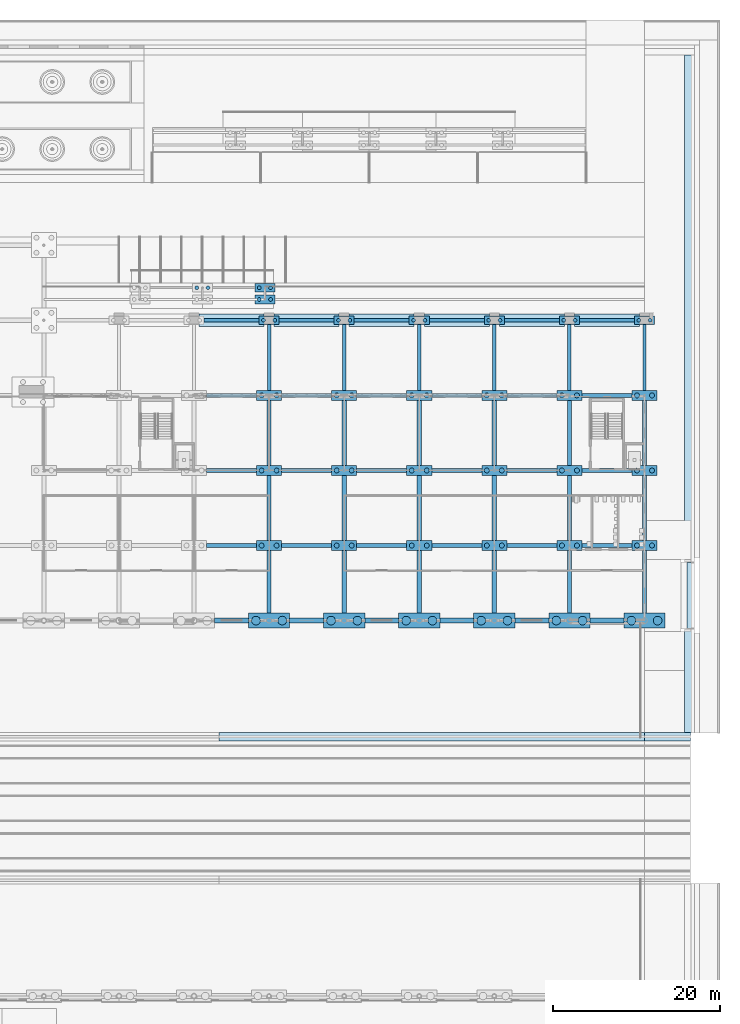
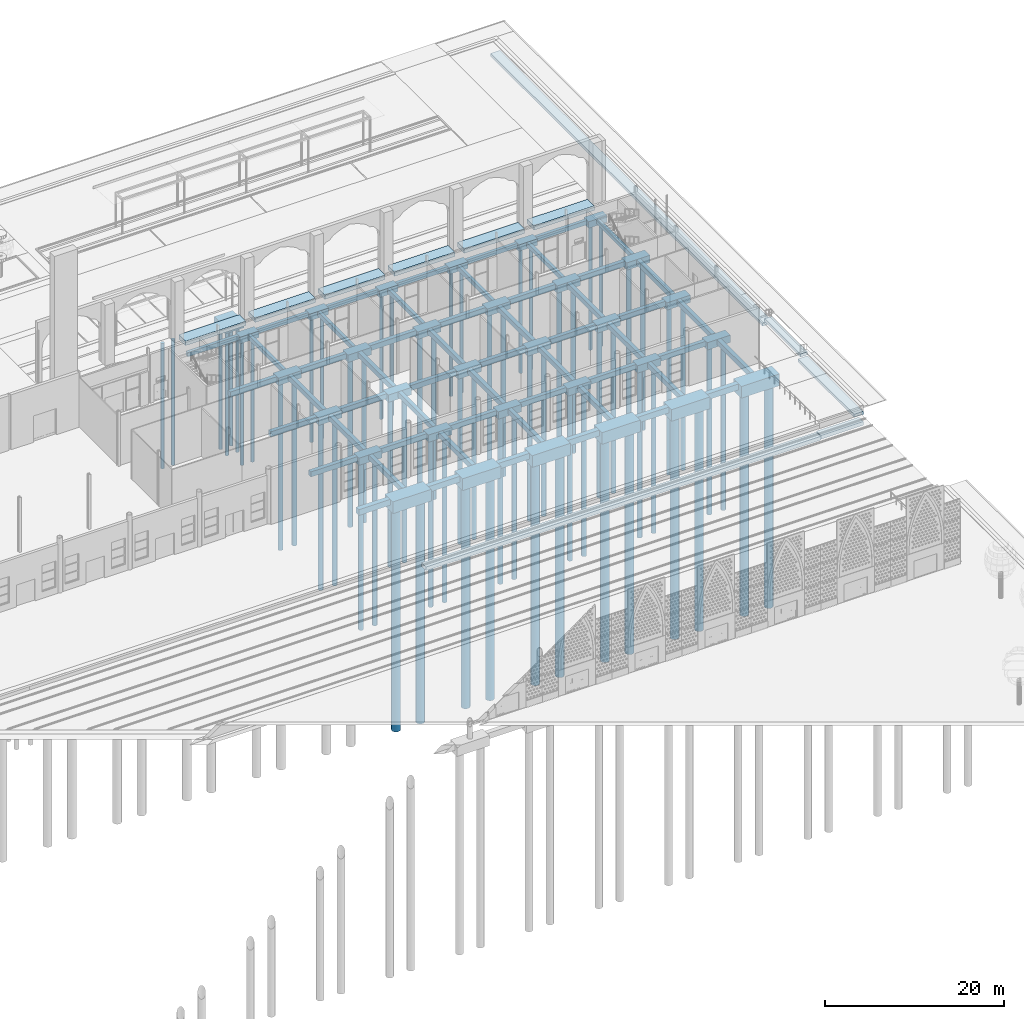
# One storey, part 6 of 250: 97 footings, 66 piles.
"""IFC4 building model written with IfcOpenShell, lengths in metres."""

from ifc_helpers import new_model, si_unit, direction, frame, origin, origin_2d, place, context, subcontext, project, spatial, rectangle, circle, extrude, material, type_object, element, save


model = new_model("IFC4")

# Units and contexts
model_context = context("Model", 3, precision=1e-05, world=origin(), true_north=direction((0.0, 1.0)))
body_context = subcontext(model_context, "Body", "Model", "MODEL_VIEW")
ifc_project = project(units=[si_unit("LENGTHUNIT", "METRE"), si_unit("AREAUNIT", "SQUARE_METRE"), si_unit("VOLUMEUNIT", "CUBIC_METRE"), si_unit("PLANEANGLEUNIT", "RADIAN"), si_unit("MASSUNIT", "GRAM", prefix="KILO")], contexts=[model_context])

# Site, building, storey
site_placement = place(None, origin())
site = spatial("IfcSite", under=ifc_project, at=site_placement, CompositionType="ELEMENT")
building_placement = place(site_placement, origin())
building = spatial("IfcBuilding", under=site, at=building_placement, Name="Baradari Gate Terminus", CompositionType="ELEMENT")
storey_placement = place(building_placement, origin())
storey = spatial("IfcBuildingStorey", under=building, at=storey_placement, Name="L00", CompositionType="ELEMENT", Elevation=0.0)

# Piles
ifc_material_1 = material(Name="Concrete C32/40", Category="concrete")
pile_type_1 = type_object("IfcPileType", Name="Bored pile BP2 D600", PredefinedType="BORED", material=ifc_material_1)
for number, where, z_axis, x_axis, name in (
    (1, (197.10009765625, 90.0, -3.0), (0.0, 0.0, -1.0), (1.0, 0.0, 0.0), "Bored pile BP2 at 23-L (1)"),
    (2, (198.89990234375, 90.0, -3.0), (0.0, 0.0, -1.0), (1.0, 0.0, 0.0), "Bored pile BP2 at 23-L (2)"),
    (3, (197.10009765625, 99.0, -3.0), (0.0, 0.0, -1.0), (1.0, 0.0, 0.0), "Bored pile BP2 at 23-M (1)"),
    (4, (198.89990234375, 99.0, -3.0), (0.0, 0.0, -1.0), (1.0, 0.0, 0.0), "Bored pile BP2 at 23-M (2)"),
    (5, (197.10009765625, 108.0, -3.0), (0.0, 0.0, -1.0), (1.0, 0.0, 0.0), "Bored pile BP2 at 23-N (1)"),
    (6, (198.89990234375, 108.0, -3.0), (0.0, 0.0, -1.0), (1.0, 0.0, 0.0), "Bored pile BP2 at 23-N (2)"),
    (7, (206.10009765625, 90.0, -3.0), (0.0, 0.0, -1.0), (1.0, 0.0, 0.0), "Bored pile BP2 at 24-L (1)"),
    (8, (207.89990234375, 90.0, -3.0), (0.0, 0.0, -1.0), (1.0, 0.0, 0.0), "Bored pile BP2 at 24-L (2)"),
    (9, (206.10009765625, 99.0, -3.0), (0.0, 0.0, -1.0), (1.0, 0.0, 0.0), "Bored pile BP2 at 24-M (1)"),
    (10, (207.89990234375, 99.0, -3.0), (0.0, 0.0, -1.0), (1.0, 0.0, 0.0), "Bored pile BP2 at 24-M (2)"),
    (11, (206.10009765625, 108.0, -3.0), (0.0, 0.0, -1.0), (1.0, 0.0, 0.0), "Bored pile BP2 at 24-N (1)"),
    (12, (207.89990234375, 108.0, -3.0), (0.0, 0.0, -1.0), (1.0, 0.0, 0.0), "Bored pile BP2 at 24-N (2)"),
    (13, (215.10009765625, 90.0, -3.0), (0.0, 0.0, -1.0), (1.0, 0.0, 0.0), "Bored pile BP2 at 25-L (1)"),
    (14, (216.89990234375, 90.0, -3.0), (0.0, 0.0, -1.0), (1.0, 0.0, 0.0), "Bored pile BP2 at 25-L (2)"),
    (15, (215.10009765625, 99.0, -3.0), (0.0, 0.0, -1.0), (1.0, 0.0, 0.0), "Bored pile BP2 at 25-M (1)"),
    (16, (216.89990234375, 99.0, -3.0), (0.0, 0.0, -1.0), (1.0, 0.0, 0.0), "Bored pile BP2 at 25-M (2)"),
    (17, (215.10009765625, 108.0, -3.0), (0.0, 0.0, -1.0), (1.0, 0.0, 0.0), "Bored pile BP2 at 25-N (1)"),
    (18, (216.89990234375, 108.0, -3.0), (0.0, 0.0, -1.0), (1.0, 0.0, 0.0), "Bored pile BP2 at 25-N (2)"),
    (19, (224.10009765625, 90.0, -3.0), (0.0, 0.0, -1.0), (1.0, 0.0, 0.0), "Bored pile BP2 at 26-L (1)"),
    (20, (225.89990234375, 90.0, -3.0), (0.0, 0.0, -1.0), (1.0, 0.0, 0.0), "Bored pile BP2 at 26-L (2)"),
    (21, (224.10009765625, 99.0, -3.0), (0.0, 0.0, -1.0), (1.0, 0.0, 0.0), "Bored pile BP2 at 26-M (1)"),
    (22, (225.89990234375, 99.0, -3.0), (0.0, 0.0, -1.0), (1.0, 0.0, 0.0), "Bored pile BP2 at 26-M (2)"),
    (23, (224.10009765625, 108.0, -3.0), (0.0, 0.0, -1.0), (1.0, 0.0, 0.0), "Bored pile BP2 at 26-N (1)"),
    (24, (225.89990234375, 108.0, -3.0), (0.0, 0.0, -1.0), (1.0, 0.0, 0.0), "Bored pile BP2 at 26-N (2)"),
    (25, (233.10009765625, 90.0, -3.0), (0.0, 0.0, -1.0), (1.0, 0.0, 0.0), "Bored pile BP2 at 27-L (1)"),
    (26, (234.89990234375, 90.0, -3.0), (0.0, 0.0, -1.0), (1.0, 0.0, 0.0), "Bored pile BP2 at 27-L (2)"),
    (27, (233.10009765625, 99.0, -3.0), (0.0, 0.0, -1.0), (1.0, 0.0, 0.0), "Bored pile BP2 at 27-M (1)"),
    (28, (234.89990234375, 99.0, -3.0), (0.0, 0.0, -1.0), (1.0, 0.0, 0.0), "Bored pile BP2 at 27-M (2)"),
    (29, (233.10009765625, 108.0, -3.0), (0.0, 0.0, -1.0), (1.0, 0.0, 0.0), "Bored pile BP2 at 27-N (1)"),
    (30, (234.89990234375, 108.0, -3.0), (0.0, 0.0, -1.0), (1.0, 0.0, 0.0), "Bored pile BP2 at 27-N (2)"),
    (31, (242.10009765625, 90.0, -3.0), (0.0, 0.0, -1.0), (1.0, 0.0, 0.0), "Bored pile BP2 at 28-L (1)"),
    (32, (243.89990234375, 90.0, -3.0), (0.0, 0.0, -1.0), (1.0, 0.0, 0.0), "Bored pile BP2 at 28-L (2)"),
    (33, (242.10009765625, 99.0, -3.0), (0.0, 0.0, -1.0), (1.0, 0.0, 0.0), "Bored pile BP2 at 28-M (1)"),
    (34, (243.89990234375, 99.0, -3.0), (0.0, 0.0, -1.0), (1.0, 0.0, 0.0), "Bored pile BP2 at 28-M (2)"),
    (35, (242.10009765625, 108.0, -3.0), (0.0, 0.0, -1.0), (1.0, 0.0, 0.0), "Bored pile BP2 at 28-N (1)"),
    (36, (243.89990234375, 108.0, -3.0), (0.0, 0.0, -1.0), (1.0, 0.0, 0.0), "Bored pile BP2 at 28-N (2)"),
):
    element("IfcPile", number, at=place(storey_placement, frame(where, z_axis=z_axis, x_axis=x_axis)), inside=storey, type_object=pile_type_1, Name=name, PredefinedType="BORED", context=body_context, shape_type="SweptSolid", body=[
        extrude(circle(Radius=0.300048828125, at=origin_2d()), origin(), (0.0, 0.0, 1.0), 23.0),
    ])
ifc_material_2 = material(Name="Concrete C32/40", Category="concrete")
pile_type_2 = type_object("IfcPileType", Name="Bored pile BP4 D450", PredefinedType="BORED", material=ifc_material_2)
for number, where, z_axis, x_axis, name in (
    (37, (197.324951171875, 117.0, -2.89990234375), (0.0, 0.0, -1.0), (1.0, 0.0, 0.0), "Bored pile BP4 at 23-P (1)"),
    (38, (198.675048828125, 117.0, -2.89990234375), (0.0, 0.0, -1.0), (1.0, 0.0, 0.0), "Bored pile BP4 at 23-P (2)"),
    (39, (206.324951171875, 117.0, -2.89990234375), (0.0, 0.0, -1.0), (1.0, 0.0, 0.0), "Bored pile BP4 at 24-P (1)"),
    (40, (207.675048828125, 117.0, -2.89990234375), (0.0, 0.0, -1.0), (1.0, 0.0, 0.0), "Bored pile BP4 at 24-P (2)"),
    (41, (215.324951171875, 117.0, -2.89990234375), (0.0, 0.0, -1.0), (1.0, 0.0, 0.0), "Bored pile BP4 at 25-P (1)"),
    (42, (216.675048828125, 117.0, -2.89990234375), (0.0, 0.0, -1.0), (1.0, 0.0, 0.0), "Bored pile BP4 at 25-P (2)"),
    (43, (224.324951171875, 117.0, -2.89990234375), (0.0, 0.0, -1.0), (1.0, 0.0, 0.0), "Bored pile BP4 at 26-P (1)"),
    (44, (225.675048828125, 117.0, -2.89990234375), (0.0, 0.0, -1.0), (1.0, 0.0, 0.0), "Bored pile BP4 at 26-P (2)"),
    (45, (233.324951171875, 117.0, -2.89990234375), (0.0, 0.0, -1.0), (1.0, 0.0, 0.0), "Bored pile BP4 at 27-P (1)"),
    (46, (234.675048828125, 117.0, -2.89990234375), (0.0, 0.0, -1.0), (1.0, 0.0, 0.0), "Bored pile BP4 at 27-P (2)"),
    (47, (242.324951171875, 117.0, -2.89990234375), (0.0, 0.0, -1.0), (1.0, 0.0, 0.0), "Bored pile BP4 at 28-P (1)"),
    (48, (243.675048828125, 117.0, -2.89990234375), (0.0, 0.0, -1.0), (1.0, 0.0, 0.0), "Bored pile BP4 at 28-P (2)"),
    (49, (196.824951171875, 119.5, -2.89990234375), (0.0, 0.0, -1.0), (1.0, 0.0, 0.0), "Bored pile BP4 at TS-C03 (1)"),
    (50, (198.175048828125, 119.5, -2.89990234375), (0.0, 0.0, -1.0), (1.0, 0.0, 0.0), "Bored pile BP4 at TS-C03 (2)"),
    (51, (189.324951171875, 120.89990234375, -2.89990234375), (0.0, 0.0, -1.0), (1.0, 0.0, 0.0), "Bored pile BP4 at TS-C05 (1)"),
    (52, (190.675048828125, 120.89990234375, -2.89990234375), (0.0, 0.0, -1.0), (1.0, 0.0, 0.0), "Bored pile BP4 at TS-C05 (2)"),
    (53, (196.824951171875, 120.89990234375, -2.89990234375), (0.0, 0.0, -1.0), (1.0, 0.0, 0.0), "Bored pile BP4 at TS-C06 (1)"),
    (54, (198.175048828125, 120.89990234375, -2.89990234375), (0.0, 0.0, -1.0), (1.0, 0.0, 0.0), "Bored pile BP4 at TS-C06 (2)"),
):
    element("IfcPile", number, at=place(storey_placement, frame(where, z_axis=z_axis, x_axis=x_axis)), inside=storey, type_object=pile_type_2, Name=name, PredefinedType="BORED", context=body_context, shape_type="SweptSolid", body=[
        extrude(circle(Radius=0.22509765625, at=origin_2d()), origin(), (0.0, 0.0, 1.0), 17.10009765625),
    ])
ifc_material_3 = material(Name="Concrete C32/40", Category="concrete")
pile_type_3 = type_object("IfcPileType", Name="Bored pile BP5 D1050", PredefinedType="BORED", material=ifc_material_3)
for number, where, z_axis, x_axis, name in (
    (55, (196.425048828125, 81.0, -3.60009765625), (0.0, 0.0, -1.0), (1.0, 0.0, 0.0), "Bored pile BP5 at 23-K (1)"),
    (56, (199.574951171875, 81.0, -3.60009765625), (0.0, 0.0, -1.0), (1.0, 0.0, 0.0), "Bored pile BP5 at 23-K (2)"),
    (57, (205.425048828125, 81.0, -3.60009765625), (0.0, 0.0, -1.0), (1.0, 0.0, 0.0), "Bored pile BP5 at 24-K (1)"),
    (58, (208.574951171875, 81.0, -3.60009765625), (0.0, 0.0, -1.0), (1.0, 0.0, 0.0), "Bored pile BP5 at 24-K (2)"),
    (59, (214.425048828125, 81.0, -3.60009765625), (0.0, 0.0, -1.0), (1.0, 0.0, 0.0), "Bored pile BP5 at 25-K (1)"),
    (60, (217.574951171875, 81.0, -3.60009765625), (0.0, 0.0, -1.0), (1.0, 0.0, 0.0), "Bored pile BP5 at 25-K (2)"),
    (61, (223.425048828125, 81.0, -3.60009765625), (0.0, 0.0, -1.0), (1.0, 0.0, 0.0), "Bored pile BP5 at 26-K (1)"),
    (62, (226.574951171875, 81.0, -3.60009765625), (0.0, 0.0, -1.0), (1.0, 0.0, 0.0), "Bored pile BP5 at 26-K (2)"),
    (63, (232.425048828125, 81.0, -3.60009765625), (0.0, 0.0, -1.0), (1.0, 0.0, 0.0), "Bored pile BP5 at 27-K (1)"),
    (64, (235.574951171875, 81.0, -3.60009765625), (0.0, 0.0, -1.0), (1.0, 0.0, 0.0), "Bored pile BP5 at 27-K (2)"),
    (65, (241.425048828125, 81.0, -3.60009765625), (0.0, 0.0, -1.0), (1.0, 0.0, 0.0), "Bored pile BP5 at 28-K (1)"),
    (66, (244.574951171875, 81.0, -3.60009765625), (0.0, 0.0, -1.0), (1.0, 0.0, 0.0), "Bored pile BP5 at 28-K (2)"),
):
    element("IfcPile", number, at=place(storey_placement, frame(where, z_axis=z_axis, x_axis=x_axis)), inside=storey, type_object=pile_type_3, Name=name, PredefinedType="BORED", context=body_context, shape_type="SweptSolid", body=[
        extrude(circle(Radius=0.52490234375, at=origin_2d()), origin(), (0.0, 0.0, 1.0), 30.39990234375),
    ])

# Footings
ifc_material_4 = material(Name="Concrete C32/40", Category="concrete")
footing_type_1 = type_object("IfcFootingType", Name="Cheek strip footing SFC-1 900x400", PredefinedType="STRIP_FOOTING", material=ifc_material_4)
footing_1_placement = place(storey_placement, frame((248.550048828125, 84.0, -0.659912109375), z_axis=(0.0, 0.0, 1.0), x_axis=(1.0, 0.0, 0.0)))
element("IfcFooting", 67, at=footing_1_placement, inside=storey, type_object=footing_type_1, Name="Strip footing under the foot of East exit gate steps", PredefinedType="STRIP_FOOTING", context=body_context, shape_type="SweptSolid", body=[
    extrude(rectangle(XDim=0.89990234375, YDim=8.0, at=origin_2d()), origin(), (0.0, 0.0, 1.0), 0.39990234375),
])
ifc_material_5 = material(Name="Concrete C32/40", Category="concrete")
footing_type_2 = type_object("IfcFootingType", Name="Ground beam TG1 500x700", PredefinedType="FOOTING_BEAM", material=ifc_material_5)
for number, where, z_axis, x_axis, name in (
    (68, (193.5, 90.0, -2.7998046875), (0.0, 0.0, 1.0), (1.0, 0.0, 0.0), "Ground beam TG1 line L 190.5 to 196.5"),
    (69, (202.5, 90.0, -2.7998046875), (0.0, 0.0, 1.0), (1.0, 0.0, 0.0), "Ground beam TG1 line L 199.5 to 205.5"),
    (70, (211.5, 90.0, -2.7998046875), (0.0, 0.0, 1.0), (1.0, 0.0, 0.0), "Ground beam TG1 line L 208.5 to 214.5"),
    (71, (220.5, 90.0, -2.7998046875), (0.0, 0.0, 1.0), (1.0, 0.0, 0.0), "Ground beam TG1 line L 217.5 to 223.5"),
    (72, (229.5, 90.0, -2.7998046875), (0.0, 0.0, 1.0), (1.0, 0.0, 0.0), "Ground beam TG1 line L 226.5 to 232.5"),
    (73, (238.5, 90.0, -2.7998046875), (0.0, 0.0, 1.0), (1.0, 0.0, 0.0), "Ground beam TG1 line L 235.5 to 241.5"),
    (74, (193.5, 99.0, -2.7998046875), (0.0, 0.0, 1.0), (1.0, 0.0, 0.0), "Ground beam TG1 line M 190.5 to 196.5"),
    (75, (202.5, 99.0, -2.7998046875), (0.0, 0.0, 1.0), (1.0, 0.0, 0.0), "Ground beam TG1 line M 199.5 to 205.5"),
    (76, (211.5, 99.0, -2.7998046875), (0.0, 0.0, 1.0), (1.0, 0.0, 0.0), "Ground beam TG1 line M 208.5 to 214.5"),
    (77, (220.5, 99.0, -2.7998046875), (0.0, 0.0, 1.0), (1.0, 0.0, 0.0), "Ground beam TG1 line M 217.5 to 223.5"),
    (78, (229.5, 99.0, -2.7998046875), (0.0, 0.0, 1.0), (1.0, 0.0, 0.0), "Ground beam TG1 line M 226.5 to 232.5"),
    (79, (238.5, 99.0, -2.7998046875), (0.0, 0.0, 1.0), (1.0, 0.0, 0.0), "Ground beam TG1 line M 235.5 to 241.5"),
    (80, (193.5, 108.0, -2.7998046875), (0.0, 0.0, 1.0), (1.0, 0.0, 0.0), "Ground beam TG1 line N 190.5 to 196.5"),
    (81, (202.5, 108.0, -2.7998046875), (0.0, 0.0, 1.0), (1.0, 0.0, 0.0), "Ground beam TG1 line N 199.5 to 205.5"),
    (82, (211.5, 108.0, -2.7998046875), (0.0, 0.0, 1.0), (1.0, 0.0, 0.0), "Ground beam TG1 line N 208.5 to 214.5"),
    (83, (220.5, 108.0, -2.7998046875), (0.0, 0.0, 1.0), (1.0, 0.0, 0.0), "Ground beam TG1 line N 217.5 to 223.5"),
    (84, (229.5, 108.0, -2.7998046875), (0.0, 0.0, 1.0), (1.0, 0.0, 0.0), "Ground beam TG1 line N 226.5 to 232.5"),
    (85, (238.5, 108.0, -2.7998046875), (0.0, 0.0, 1.0), (1.0, 0.0, 0.0), "Ground beam TG1 line N 235.5 to 241.5"),
):
    element("IfcFooting", number, at=place(storey_placement, frame(where, z_axis=z_axis, x_axis=x_axis)), inside=storey, type_object=footing_type_2, Name=name, PredefinedType="FOOTING_BEAM", context=body_context, shape_type="SweptSolid", body=[
        extrude(rectangle(XDim=6.0, YDim=0.5, at=origin_2d()), origin(), (0.0, 0.0, 1.0), 0.699951171875),
    ])
footing_2_placement = place(storey_placement, frame((198.0, 85.64990234375, -2.7998046875), z_axis=(0.0, 0.0, 1.0), x_axis=(1.0, 0.0, 0.0)))
element("IfcFooting", 86, at=footing_2_placement, inside=storey, type_object=footing_type_2, Name="Ground beam TG1 line 23 81.9 to 89.4", PredefinedType="FOOTING_BEAM", context=body_context, shape_type="SweptSolid", body=[
    extrude(rectangle(XDim=0.5, YDim=7.5, at=origin_2d()), origin(), (0.0, 0.0, 1.0), 0.699951171875),
])
for number, where, z_axis, x_axis, name in (
    (87, (198.0, 94.5, -2.7998046875), (0.0, 0.0, 1.0), (1.0, 0.0, 0.0), "Ground beam TG1 line 23 90.6 to 98.4"),
    (88, (198.0, 103.5, -2.7998046875), (0.0, 0.0, 1.0), (1.0, 0.0, 0.0), "Ground beam TG1 line 23 99.6 to 107.4"),
):
    element("IfcFooting", number, at=place(storey_placement, frame(where, z_axis=z_axis, x_axis=x_axis)), inside=storey, type_object=footing_type_2, Name=name, PredefinedType="FOOTING_BEAM", context=body_context, shape_type="SweptSolid", body=[
        extrude(rectangle(XDim=0.5, YDim=7.800048828125, at=origin_2d()), origin(), (0.0, 0.0, 1.0), 0.699951171875),
    ])
footing_3_placement = place(storey_placement, frame((207.0, 85.64990234375, -2.7998046875), z_axis=(0.0, 0.0, 1.0), x_axis=(1.0, 0.0, 0.0)))
element("IfcFooting", 89, at=footing_3_placement, inside=storey, type_object=footing_type_2, Name="Ground beam TG1 line 24 81.9 to 89.4", PredefinedType="FOOTING_BEAM", context=body_context, shape_type="SweptSolid", body=[
    extrude(rectangle(XDim=0.5, YDim=7.5, at=origin_2d()), origin(), (0.0, 0.0, 1.0), 0.699951171875),
])
for number, where, z_axis, x_axis, name in (
    (90, (207.0, 94.5, -2.7998046875), (0.0, 0.0, 1.0), (1.0, 0.0, 0.0), "Ground beam TG1 line 24 90.6 to 98.4"),
    (91, (207.0, 103.5, -2.7998046875), (0.0, 0.0, 1.0), (1.0, 0.0, 0.0), "Ground beam TG1 line 24 99.6 to 107.4"),
):
    element("IfcFooting", number, at=place(storey_placement, frame(where, z_axis=z_axis, x_axis=x_axis)), inside=storey, type_object=footing_type_2, Name=name, PredefinedType="FOOTING_BEAM", context=body_context, shape_type="SweptSolid", body=[
        extrude(rectangle(XDim=0.5, YDim=7.800048828125, at=origin_2d()), origin(), (0.0, 0.0, 1.0), 0.699951171875),
    ])
footing_4_placement = place(storey_placement, frame((216.0, 85.64990234375, -2.7998046875), z_axis=(0.0, 0.0, 1.0), x_axis=(1.0, 0.0, 0.0)))
element("IfcFooting", 92, at=footing_4_placement, inside=storey, type_object=footing_type_2, Name="Ground beam TG1 line 25 81.9 to 89.4", PredefinedType="FOOTING_BEAM", context=body_context, shape_type="SweptSolid", body=[
    extrude(rectangle(XDim=0.5, YDim=7.5, at=origin_2d()), origin(), (0.0, 0.0, 1.0), 0.699951171875),
])
for number, where, z_axis, x_axis, name in (
    (93, (216.0, 94.5, -2.7998046875), (0.0, 0.0, 1.0), (1.0, 0.0, 0.0), "Ground beam TG1 line 25 90.6 to 98.4"),
    (94, (216.0, 103.5, -2.7998046875), (0.0, 0.0, 1.0), (1.0, 0.0, 0.0), "Ground beam TG1 line 25 99.6 to 107.4"),
):
    element("IfcFooting", number, at=place(storey_placement, frame(where, z_axis=z_axis, x_axis=x_axis)), inside=storey, type_object=footing_type_2, Name=name, PredefinedType="FOOTING_BEAM", context=body_context, shape_type="SweptSolid", body=[
        extrude(rectangle(XDim=0.5, YDim=7.800048828125, at=origin_2d()), origin(), (0.0, 0.0, 1.0), 0.699951171875),
    ])
footing_5_placement = place(storey_placement, frame((225.0, 85.64990234375, -2.7998046875), z_axis=(0.0, 0.0, 1.0), x_axis=(1.0, 0.0, 0.0)))
element("IfcFooting", 95, at=footing_5_placement, inside=storey, type_object=footing_type_2, Name="Ground beam TG1 line 26 81.9 to 89.4", PredefinedType="FOOTING_BEAM", context=body_context, shape_type="SweptSolid", body=[
    extrude(rectangle(XDim=0.5, YDim=7.5, at=origin_2d()), origin(), (0.0, 0.0, 1.0), 0.699951171875),
])
for number, where, z_axis, x_axis, name in (
    (96, (225.0, 94.5, -2.7998046875), (0.0, 0.0, 1.0), (1.0, 0.0, 0.0), "Ground beam TG1 line 26 90.6 to 98.4"),
    (97, (225.0, 103.5, -2.7998046875), (0.0, 0.0, 1.0), (1.0, 0.0, 0.0), "Ground beam TG1 line 26 99.6 to 107.4"),
):
    element("IfcFooting", number, at=place(storey_placement, frame(where, z_axis=z_axis, x_axis=x_axis)), inside=storey, type_object=footing_type_2, Name=name, PredefinedType="FOOTING_BEAM", context=body_context, shape_type="SweptSolid", body=[
        extrude(rectangle(XDim=0.5, YDim=7.800048828125, at=origin_2d()), origin(), (0.0, 0.0, 1.0), 0.699951171875),
    ])
footing_6_placement = place(storey_placement, frame((234.0, 85.64990234375, -2.7998046875), z_axis=(0.0, 0.0, 1.0), x_axis=(1.0, 0.0, 0.0)))
element("IfcFooting", 98, at=footing_6_placement, inside=storey, type_object=footing_type_2, Name="Ground beam TG1 line 27 81.9 to 89.4", PredefinedType="FOOTING_BEAM", context=body_context, shape_type="SweptSolid", body=[
    extrude(rectangle(XDim=0.5, YDim=7.5, at=origin_2d()), origin(), (0.0, 0.0, 1.0), 0.699951171875),
])
for number, where, z_axis, x_axis, name in (
    (99, (234.0, 94.5, -2.7998046875), (0.0, 0.0, 1.0), (1.0, 0.0, 0.0), "Ground beam TG1 line 27 90.6 to 98.4"),
    (100, (234.0, 103.5, -2.7998046875), (0.0, 0.0, 1.0), (1.0, 0.0, 0.0), "Ground beam TG1 line 27 99.6 to 107.4"),
):
    element("IfcFooting", number, at=place(storey_placement, frame(where, z_axis=z_axis, x_axis=x_axis)), inside=storey, type_object=footing_type_2, Name=name, PredefinedType="FOOTING_BEAM", context=body_context, shape_type="SweptSolid", body=[
        extrude(rectangle(XDim=0.5, YDim=7.800048828125, at=origin_2d()), origin(), (0.0, 0.0, 1.0), 0.699951171875),
    ])
footing_7_placement = place(storey_placement, frame((243.0, 85.64990234375, -2.7998046875), z_axis=(0.0, 0.0, 1.0), x_axis=(1.0, 0.0, 0.0)))
element("IfcFooting", 101, at=footing_7_placement, inside=storey, type_object=footing_type_2, Name="Ground beam TG1 line 28 81.9 to 89.4", PredefinedType="FOOTING_BEAM", context=body_context, shape_type="SweptSolid", body=[
    extrude(rectangle(XDim=0.5, YDim=7.5, at=origin_2d()), origin(), (0.0, 0.0, 1.0), 0.699951171875),
])
for number, where, z_axis, x_axis, name in (
    (102, (243.0, 94.5, -2.7998046875), (0.0, 0.0, 1.0), (1.0, 0.0, 0.0), "Ground beam TG1 line 28 90.6 to 98.4"),
    (103, (243.0, 103.5, -2.7998046875), (0.0, 0.0, 1.0), (1.0, 0.0, 0.0), "Ground beam TG1 line 28 99.6 to 107.4"),
):
    element("IfcFooting", number, at=place(storey_placement, frame(where, z_axis=z_axis, x_axis=x_axis)), inside=storey, type_object=footing_type_2, Name=name, PredefinedType="FOOTING_BEAM", context=body_context, shape_type="SweptSolid", body=[
        extrude(rectangle(XDim=0.5, YDim=7.800048828125, at=origin_2d()), origin(), (0.0, 0.0, 1.0), 0.699951171875),
    ])
ifc_material_6 = material(Name="Concrete C32/40", Category="concrete")
footing_type_3 = type_object("IfcFootingType", Name="Ground beam TG2 400x600", PredefinedType="FOOTING_BEAM", material=ifc_material_6)
for number, where, z_axis, x_axis, name in (
    (104, (193.5, 117.0, -2.699951171875), (0.0, 0.0, 1.0), (1.0, 0.0, 0.0), "Ground beam TG2 line P 190.2 to 196.8"),
    (105, (202.5, 117.0, -2.699951171875), (0.0, 0.0, 1.0), (1.0, 0.0, 0.0), "Ground beam TG2 line P 199.2 to 205.8"),
    (106, (211.5, 117.0, -2.699951171875), (0.0, 0.0, 1.0), (1.0, 0.0, 0.0), "Ground beam TG2 line P 208.2 to 214.8"),
    (107, (220.5, 117.0, -2.699951171875), (0.0, 0.0, 1.0), (1.0, 0.0, 0.0), "Ground beam TG2 line P 217.2 to 223.8"),
    (108, (229.5, 117.0, -2.699951171875), (0.0, 0.0, 1.0), (1.0, 0.0, 0.0), "Ground beam TG2 line P 226.2 to 232.8"),
    (109, (238.5, 117.0, -2.699951171875), (0.0, 0.0, 1.0), (1.0, 0.0, 0.0), "Ground beam TG2 line P 235.2 to 241.8"),
):
    element("IfcFooting", number, at=place(storey_placement, frame(where, z_axis=z_axis, x_axis=x_axis)), inside=storey, type_object=footing_type_3, Name=name, PredefinedType="FOOTING_BEAM", context=body_context, shape_type="SweptSolid", body=[
        extrude(rectangle(XDim=6.60009765625, YDim=0.39990234375, at=origin_2d()), origin(), (0.0, 0.0, 1.0), 0.60009765625),
    ])
for number, where, z_axis, x_axis, name in (
    (110, (198.0, 112.53759765625, -2.699951171875), (0.0, 0.0, 1.0), (1.0, 0.0, 0.0), "Ground beam TG2 line 23 108.6 to 116.47"),
    (111, (207.0, 112.53759765625, -2.699951171875), (0.0, 0.0, 1.0), (1.0, 0.0, 0.0), "Ground beam TG2 line 24 108.6 to 116.47"),
    (112, (216.0, 112.53759765625, -2.699951171875), (0.0, 0.0, 1.0), (1.0, 0.0, 0.0), "Ground beam TG2 line 25 108.6 to 116.47"),
    (113, (225.0, 112.53759765625, -2.699951171875), (0.0, 0.0, 1.0), (1.0, 0.0, 0.0), "Ground beam TG2 line 26 108.6 to 116.47"),
    (114, (234.0, 112.53759765625, -2.699951171875), (0.0, 0.0, 1.0), (1.0, 0.0, 0.0), "Ground beam TG2 line 27 108.6 to 116.47"),
    (115, (243.0, 112.53759765625, -2.699951171875), (0.0, 0.0, 1.0), (1.0, 0.0, 0.0), "Ground beam TG2 line 28 108.6 to 116.47"),
):
    element("IfcFooting", number, at=place(storey_placement, frame(where, z_axis=z_axis, x_axis=x_axis)), inside=storey, type_object=footing_type_3, Name=name, PredefinedType="FOOTING_BEAM", context=body_context, shape_type="SweptSolid", body=[
        extrude(rectangle(XDim=0.39990234375, YDim=7.875, at=origin_2d()), origin(), (0.0, 0.0, 1.0), 0.60009765625),
    ])
ifc_material_7 = material(Name="Concrete C32/40", Category="concrete")
footing_type_4 = type_object("IfcFootingType", Name="Ground beam TG3 600x800", PredefinedType="FOOTING_BEAM", material=ifc_material_7)
for number, where, z_axis, x_axis, name in (
    (116, (193.5, 81.0, -2.89990234375), (0.0, 0.0, 1.0), (1.0, 0.0, 0.0), "Ground beam TG3 line K 191.47 to 195.53"),
    (117, (202.5, 81.0, -2.89990234375), (0.0, 0.0, 1.0), (1.0, 0.0, 0.0), "Ground beam TG3 line K 200.47 to 204.53"),
    (118, (211.5, 81.0, -2.89990234375), (0.0, 0.0, 1.0), (1.0, 0.0, 0.0), "Ground beam TG3 line K 209.47 to 213.53"),
    (119, (220.5, 81.0, -2.89990234375), (0.0, 0.0, 1.0), (1.0, 0.0, 0.0), "Ground beam TG3 line K 218.47 to 222.53"),
    (120, (229.5, 81.0, -2.89990234375), (0.0, 0.0, 1.0), (1.0, 0.0, 0.0), "Ground beam TG3 line K 227.47 to 231.53"),
    (121, (238.5, 81.0, -2.89990234375), (0.0, 0.0, 1.0), (1.0, 0.0, 0.0), "Ground beam TG3 line K 236.47 to 240.53"),
):
    element("IfcFooting", number, at=place(storey_placement, frame(where, z_axis=z_axis, x_axis=x_axis)), inside=storey, type_object=footing_type_4, Name=name, PredefinedType="FOOTING_BEAM", context=body_context, shape_type="SweptSolid", body=[
        extrude(rectangle(XDim=4.050048828125, YDim=0.60009765625, at=origin_2d()), origin(), (0.0, 0.0, 1.0), 0.800048828125),
    ])
ifc_material_8 = material(Name="Concrete C32/40", Category="concrete")
footing_type_5 = type_object("IfcFootingType", Name="Kerb strip footing SFK-1 1200x400", PredefinedType="STRIP_FOOTING", material=ifc_material_8)
footing_8_placement = place(storey_placement, frame((248.39990234375, 73.75, -1.199951171875), z_axis=(0.0, 0.0, 1.0), x_axis=(1.0, 0.0, 0.0)))
element("IfcFooting", 122, at=footing_8_placement, inside=storey, type_object=footing_type_5, Name="Strip footing under plinth wall E2", PredefinedType="STRIP_FOOTING", context=body_context, shape_type="SweptSolid", body=[
    extrude(rectangle(XDim=1.199951171875, YDim=12.5, at=origin_2d()), origin(), (0.0, 0.0, 1.0), 0.39990234375),
])
footing_9_placement = place(storey_placement, frame((248.39990234375, 118.39990234375, -1.199951171875), z_axis=(0.0, 0.0, 1.0), x_axis=(1.0, 0.0, 0.0)))
element("IfcFooting", 123, at=footing_9_placement, inside=storey, type_object=footing_type_5, Name="Strip footing under plinth wall E3", PredefinedType="STRIP_FOOTING", context=body_context, shape_type="SweptSolid", body=[
    extrude(rectangle(XDim=1.199951171875, YDim=60.800048828125, at=origin_2d()), origin(), (0.0, 0.0, 1.0), 0.39990234375),
])
ifc_material_9 = material(Name="Concrete C32/40", Category="concrete")
footing_type_6 = type_object("IfcFootingType", Name="Pile cap PC4 3000x1200x1000", PredefinedType="PILE_CAP", material=ifc_material_9)
for number, where, z_axis, x_axis, name in (
    (124, (198.0, 90.0, -3.10009765625), (0.0, 0.0, 1.0), (1.0, 0.0, 0.0), "Pile cap PC4 at 23-L"),
    (125, (198.0, 99.0, -3.10009765625), (0.0, 0.0, 1.0), (1.0, 0.0, 0.0), "Pile cap PC4 at 23-M"),
    (126, (198.0, 108.0, -3.10009765625), (0.0, 0.0, 1.0), (1.0, 0.0, 0.0), "Pile cap PC4 at 23-N"),
    (127, (207.0, 90.0, -3.10009765625), (0.0, 0.0, 1.0), (1.0, 0.0, 0.0), "Pile cap PC4 at 24-L"),
    (128, (207.0, 99.0, -3.10009765625), (0.0, 0.0, 1.0), (1.0, 0.0, 0.0), "Pile cap PC4 at 24-M"),
    (129, (207.0, 108.0, -3.10009765625), (0.0, 0.0, 1.0), (1.0, 0.0, 0.0), "Pile cap PC4 at 24-N"),
    (130, (216.0, 90.0, -3.10009765625), (0.0, 0.0, 1.0), (1.0, 0.0, 0.0), "Pile cap PC4 at 25-L"),
    (131, (216.0, 99.0, -3.10009765625), (0.0, 0.0, 1.0), (1.0, 0.0, 0.0), "Pile cap PC4 at 25-M"),
    (132, (216.0, 108.0, -3.10009765625), (0.0, 0.0, 1.0), (1.0, 0.0, 0.0), "Pile cap PC4 at 25-N"),
    (133, (225.0, 90.0, -3.10009765625), (0.0, 0.0, 1.0), (1.0, 0.0, 0.0), "Pile cap PC4 at 26-L"),
    (134, (225.0, 99.0, -3.10009765625), (0.0, 0.0, 1.0), (1.0, 0.0, 0.0), "Pile cap PC4 at 26-M"),
    (135, (225.0, 108.0, -3.10009765625), (0.0, 0.0, 1.0), (1.0, 0.0, 0.0), "Pile cap PC4 at 26-N"),
    (136, (234.0, 90.0, -3.10009765625), (0.0, 0.0, 1.0), (1.0, 0.0, 0.0), "Pile cap PC4 at 27-L"),
    (137, (234.0, 99.0, -3.10009765625), (0.0, 0.0, 1.0), (1.0, 0.0, 0.0), "Pile cap PC4 at 27-M"),
    (138, (234.0, 108.0, -3.10009765625), (0.0, 0.0, 1.0), (1.0, 0.0, 0.0), "Pile cap PC4 at 27-N"),
    (139, (243.0, 90.0, -3.10009765625), (0.0, 0.0, 1.0), (1.0, 0.0, 0.0), "Pile cap PC4 at 28-L"),
    (140, (243.0, 99.0, -3.10009765625), (0.0, 0.0, 1.0), (1.0, 0.0, 0.0), "Pile cap PC4 at 28-M"),
    (141, (243.0, 108.0, -3.10009765625), (0.0, 0.0, 1.0), (1.0, 0.0, 0.0), "Pile cap PC4 at 28-N"),
):
    element("IfcFooting", number, at=place(storey_placement, frame(where, z_axis=z_axis, x_axis=x_axis)), inside=storey, type_object=footing_type_6, Name=name, PredefinedType="PILE_CAP", context=body_context, shape_type="SweptSolid", body=[
        extrude(rectangle(XDim=3.0, YDim=1.199951171875, at=origin_2d()), origin(), (0.0, 0.0, 1.0), 1.0),
    ])
ifc_material_10 = material(Name="Concrete C32/40", Category="concrete")
footing_type_7 = type_object("IfcFootingType", Name="Pile cap PC6 2400x1050x900", PredefinedType="PILE_CAP", material=ifc_material_10)
for number, where, z_axis, x_axis, name in (
    (142, (198.0, 117.0, -3.0), (0.0, 0.0, 1.0), (1.0, 0.0, 0.0), "Pile cap PC6 at 23-P"),
    (143, (207.0, 117.0, -3.0), (0.0, 0.0, 1.0), (1.0, 0.0, 0.0), "Pile cap PC6 at 24-P"),
    (144, (216.0, 117.0, -3.0), (0.0, 0.0, 1.0), (1.0, 0.0, 0.0), "Pile cap PC6 at 25-P"),
    (145, (225.0, 117.0, -3.0), (0.0, 0.0, 1.0), (1.0, 0.0, 0.0), "Pile cap PC6 at 26-P"),
    (146, (234.0, 117.0, -3.0), (0.0, 0.0, 1.0), (1.0, 0.0, 0.0), "Pile cap PC6 at 27-P"),
    (147, (243.0, 117.0, -3.0), (0.0, 0.0, 1.0), (1.0, 0.0, 0.0), "Pile cap PC6 at 28-P"),
    (148, (197.5, 119.5, -3.0), (0.0, 0.0, 1.0), (1.0, 0.0, 0.0), "Pile cap PC6 at TS-C03"),
    (149, (197.5, 120.89990234375, -3.0), (0.0, 0.0, 1.0), (1.0, 0.0, 0.0), "Pile cap PC6 at TS-C06"),
):
    element("IfcFooting", number, at=place(storey_placement, frame(where, z_axis=z_axis, x_axis=x_axis)), inside=storey, type_object=footing_type_7, Name=name, PredefinedType="PILE_CAP", context=body_context, shape_type="SweptSolid", body=[
        extrude(rectangle(XDim=2.39990234375, YDim=1.050048828125, at=origin_2d()), origin(), (0.0, 0.0, 1.0), 0.89990234375),
    ])
ifc_material_11 = material(Name="Concrete C32/40", Category="concrete")
footing_type_8 = type_object("IfcFootingType", Name="Pile cap PC7 4950x1800x1600", PredefinedType="PILE_CAP", material=ifc_material_11)
for number, where, z_axis, x_axis, name in (
    (150, (198.0, 81.0, -3.699951171875), (0.0, 0.0, 1.0), (1.0, 0.0, 0.0), "Pile cap PC7 at 23-K"),
    (151, (207.0, 81.0, -3.699951171875), (0.0, 0.0, 1.0), (1.0, 0.0, 0.0), "Pile cap PC7 at 24-K"),
    (152, (216.0, 81.0, -3.699951171875), (0.0, 0.0, 1.0), (1.0, 0.0, 0.0), "Pile cap PC7 at 25-K"),
    (153, (225.0, 81.0, -3.699951171875), (0.0, 0.0, 1.0), (1.0, 0.0, 0.0), "Pile cap PC7 at 26-K"),
    (154, (234.0, 81.0, -3.699951171875), (0.0, 0.0, 1.0), (1.0, 0.0, 0.0), "Pile cap PC7 at 27-K"),
    (155, (243.0, 81.0, -3.699951171875), (0.0, 0.0, 1.0), (1.0, 0.0, 0.0), "Pile cap PC7 at 28-K"),
):
    element("IfcFooting", number, at=place(storey_placement, frame(where, z_axis=z_axis, x_axis=x_axis)), inside=storey, type_object=footing_type_8, Name=name, PredefinedType="PILE_CAP", context=body_context, shape_type="SweptSolid", body=[
        extrude(rectangle(XDim=4.949951171875, YDim=1.800048828125, at=origin_2d()), origin(), (0.0, 0.0, 1.0), 1.60009765625),
    ])
ifc_material_12 = material(Name="Concrete C32/40", Category="concrete")
footing_type_9 = type_object("IfcFootingType", Name="Strip footing SF1 1000x500", PredefinedType="STRIP_FOOTING", material=ifc_material_12)
footing_10_placement = place(storey_placement, frame((217.5, 67.10009765625, -2.072021484375), z_axis=(0.0, 0.0, 1.0), x_axis=(1.0, 0.0, 0.0)))
element("IfcFooting", 156, at=footing_10_placement, inside=storey, type_object=footing_type_9, Name="Strip footing under platform 2 edge wall 4", PredefinedType="STRIP_FOOTING", context=body_context, shape_type="SweptSolid", body=[
    extrude(rectangle(XDim=51.0, YDim=1.0, at=origin_2d()), origin(), (0.0, 0.0, 1.0), 0.5),
])
footing_11_placement = place(storey_placement, frame((245.75, 67.10009765625, -1.971923828125), z_axis=(0.0, 0.0, 1.0), x_axis=(1.0, 0.0, 0.0)))
element("IfcFooting", 157, at=footing_11_placement, inside=storey, type_object=footing_type_9, Name="Strip footing under track wing wall EN", PredefinedType="STRIP_FOOTING", context=body_context, shape_type="SweptSolid", body=[
    extrude(rectangle(XDim=5.5, YDim=1.0, at=origin_2d()), origin(), (0.0, 0.0, 1.0), 0.5),
])
ifc_material_13 = material(Name="Concrete C32/40", Category="concrete")
footing_type_10 = type_object("IfcFootingType", Name="Strip footing SF3 1500x600", PredefinedType="STRIP_FOOTING", material=ifc_material_13)
for number, where, z_axis, x_axis, name in (
    (158, (193.5, 117.0, -0.60009765625), (0.0, 0.0, 1.0), (1.0, 0.0, 0.0), "Arcade plinth footing 22 to 23"),
    (159, (202.5, 117.0, -0.60009765625), (0.0, 0.0, 1.0), (1.0, 0.0, 0.0), "Arcade plinth footing 23 to 24"),
    (160, (211.5, 117.0, -0.60009765625), (0.0, 0.0, 1.0), (1.0, 0.0, 0.0), "Arcade plinth footing 24 to 25"),
    (161, (220.5, 117.0, -0.60009765625), (0.0, 0.0, 1.0), (1.0, 0.0, 0.0), "Arcade plinth footing 25 to 26"),
    (162, (229.5, 117.0, -0.60009765625), (0.0, 0.0, 1.0), (1.0, 0.0, 0.0), "Arcade plinth footing 26 to 27"),
    (163, (238.5, 117.0, -0.60009765625), (0.0, 0.0, 1.0), (1.0, 0.0, 0.0), "Arcade plinth footing 27 to 28"),
):
    element("IfcFooting", number, at=place(storey_placement, frame(where, z_axis=z_axis, x_axis=x_axis)), inside=storey, type_object=footing_type_10, Name=name, PredefinedType="STRIP_FOOTING", context=body_context, shape_type="SweptSolid", body=[
        extrude(rectangle(XDim=7.800048828125, YDim=1.5, at=origin_2d()), origin(), (0.0, 0.0, 1.0), 0.60009765625),
    ])

save(model, "model.ifc")
